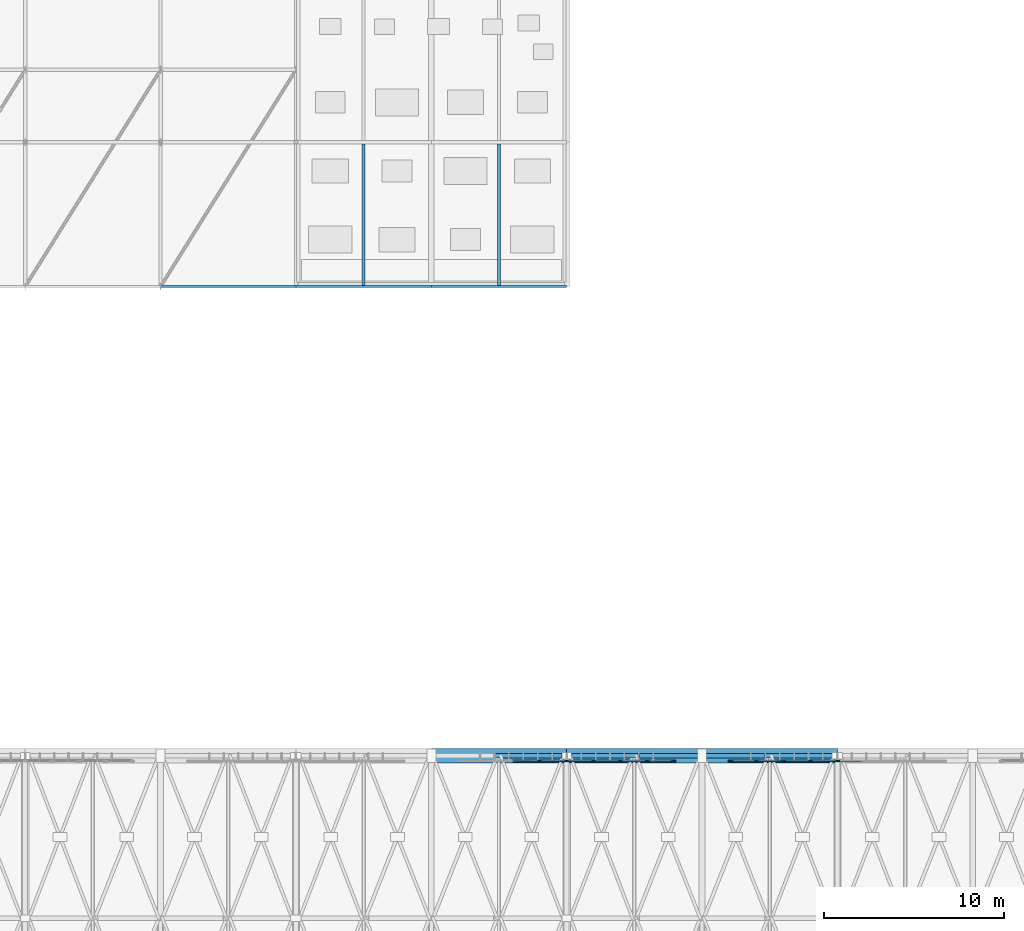
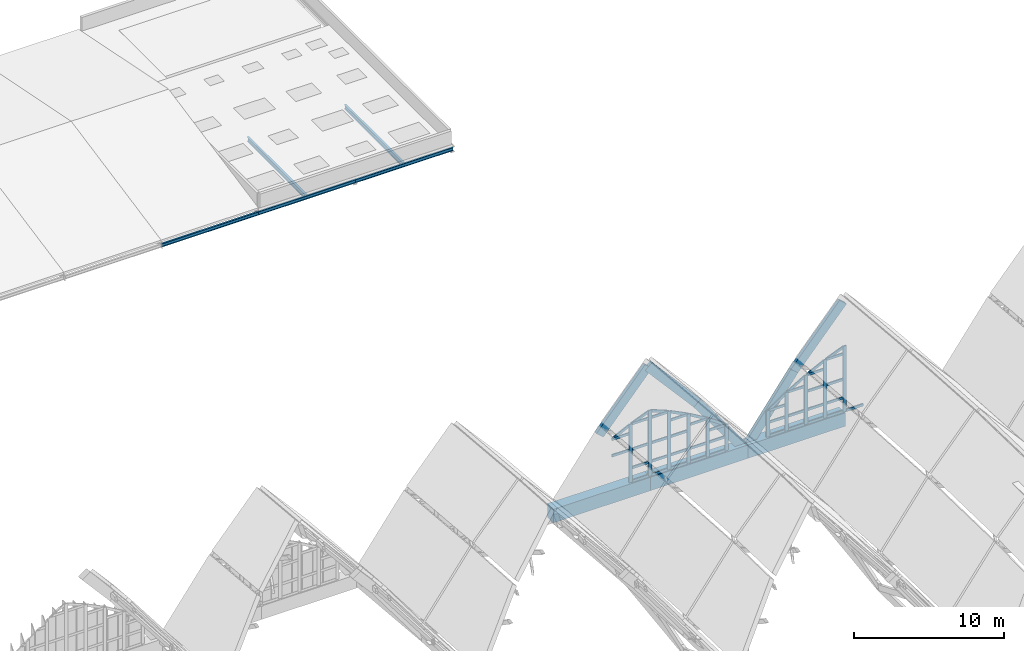
# One storey, part 46 of 93: 56 members, 13 beams, 2 elements without a shape of their own.
"""IFC4 building model written with IfcOpenShell, lengths in metres."""

from ifc_helpers import new_model, si_unit, direction, frame, origin, origin_2d, place, context, subcontext, project, spatial, rectangle, i_section, extrude, material, material_profile, profile_set, type_object, element, aggregate, save


model = new_model("IFC4")

# Units and contexts
model_context = context("Model", 3, precision=1e-05, world=origin(), true_north=direction((0.0, 1.0)))
body_context = subcontext(model_context, "Body", "Model", "MODEL_VIEW")
ifc_project = project(units=[si_unit("LENGTHUNIT", "METRE"), si_unit("AREAUNIT", "SQUARE_METRE"), si_unit("VOLUMEUNIT", "CUBIC_METRE"), si_unit("PLANEANGLEUNIT", "RADIAN"), si_unit("MASSUNIT", "GRAM", prefix="KILO")], contexts=[model_context])

# Site, building, storey
site_placement = place(None, origin())
site = spatial("IfcSite", under=ifc_project, at=site_placement, CompositionType="ELEMENT")
building_placement = place(site_placement, origin())
building = spatial("IfcBuilding", under=site, at=building_placement, Name="Vourika Railside Aquatics Centre", CompositionType="ELEMENT")
storey_placement = place(building_placement, frame((0.0, 0.0, 21.89990234375)))
storey = spatial("IfcBuildingStorey", under=building, at=storey_placement, Name="Roof", CompositionType="ELEMENT", Elevation=21.89990234375)

# Beams
ifc_material_1 = material(Name="Glulam GL32h", Category="wood")
ifc_material_profile_1 = material_profile(ifc_material_1, rectangle(XDim=0.239990234375, YDim=0.719970703125, at=origin_2d()), Name="GL32h 240x720")
ifc_profile_set_1 = profile_set([ifc_material_profile_1], Name="Glulam GL32h")
beam_type_1 = type_object("IfcBeamType", Name="BM-GL-ARCH-240x720", PredefinedType="BEAM", material=ifc_profile_set_1)
for number, where, z_axis, x_axis, name in (
    (1, (84.75, 66.0, -6.599853515625), (0.657258623263, 0.0, 0.75366511273), (0.0, 1.0, 0.0), "Pointed Glulam Vault Arch Rib GAR-0128"),
    (2, (88.5, 66.0, -2.2998046875), (0.657258623263, 0.0, -0.75366511273), (0.0, 1.0, 0.0), "Pointed Glulam Vault Arch Rib GAR-0129"),
):
    element("IfcBeam", number, at=place(storey_placement, frame(where, z_axis=z_axis, x_axis=x_axis)), inside=storey, type_object=beam_type_1, Name=name, PredefinedType="BEAM", context=body_context, shape_type="SweptSolid", body=[
        extrude(rectangle(XDim=0.239990234375, YDim=0.719970703125, at=origin_2d()), origin(), (0.0, 0.0, 1.0), 5.70556640625),
    ])
for number, where, z_axis, x_axis, name in (
    (3, (92.25, 66.0, -6.599853515625), (0.592383087934, 0.0, -0.805656426233), (0.0, 1.0, 0.0), "Pointed Glulam Vault Arch Rib GAR-0130"),
    (4, (96.0, 66.0, -11.699951171875), (0.592383087934, 0.0, 0.805656426233), (0.0, 1.0, 0.0), "Pointed Glulam Vault Arch Rib GAR-0161"),
):
    element("IfcBeam", number, at=place(storey_placement, frame(where, z_axis=z_axis, x_axis=x_axis)), inside=storey, type_object=beam_type_1, Name=name, PredefinedType="BEAM", context=body_context, shape_type="SweptSolid", body=[
        extrude(rectangle(XDim=0.239990234375, YDim=0.719970703125, at=origin_2d()), origin(), (0.0, 0.0, 1.0), 6.330322265625),
    ])
beam_placement = place(storey_placement, frame((99.75, 66.0, -6.599853515625), z_axis=(0.657258623263, 0.0, 0.75366511273), x_axis=(0.0, 1.0, 0.0)))
element("IfcBeam", 5, at=beam_placement, inside=storey, type_object=beam_type_1, Name="Pointed Glulam Vault Arch Rib GAR-0162", PredefinedType="BEAM", context=body_context, shape_type="SweptSolid", body=[
    extrude(rectangle(XDim=0.239990234375, YDim=0.719970703125, at=origin_2d()), origin(), (0.0, 0.0, 1.0), 5.70556640625),
])
ifc_material_2 = material(Name="Concrete C40/50", Category="concrete")
ifc_material_profile_2 = material_profile(ifc_material_2, rectangle(XDim=0.800048828125, YDim=1.10009765625, at=origin_2d()), Name="RC 800x1100")
ifc_profile_set_2 = profile_set([ifc_material_profile_2], Name="Concrete C40/50")
beam_type_2 = type_object("IfcBeamType", Name="BM-RING-800x1100", PredefinedType="BEAM", material=ifc_profile_set_2)
for number, where, z_axis, x_axis, name in (
    (6, (81.0, 66.0, -11.699951171875), (1.0, 0.0, 0.0), (0.0, 1.0, 0.0), "Vault Springing Ring Beam N (81.0-88.5)"),
    (7, (88.5, 66.0, -11.699951171875), (1.0, 0.0, 0.0), (0.0, 1.0, 0.0), "Vault Springing Ring Beam N (88.5-96.0)"),
    (8, (96.0, 66.0, -11.699951171875), (1.0, 0.0, 0.0), (0.0, 1.0, 0.0), "Vault Springing Ring Beam N (96.0-103.5)"),
):
    element("IfcBeam", number, at=place(storey_placement, frame(where, z_axis=z_axis, x_axis=x_axis)), inside=storey, type_object=beam_type_2, Name=name, PredefinedType="BEAM", context=body_context, shape_type="SweptSolid", body=[
        extrude(rectangle(XDim=0.800048828125, YDim=1.10009765625, at=origin_2d()), origin(), (0.0, 0.0, 1.0), 7.5),
    ])
ifc_material_3 = material(Name="Steel S355J2", Category="steel")
ifc_material_profile_3 = material_profile(ifc_material_3, i_section(OverallWidth=0.135009765625, OverallDepth=0.27001953125, WebThickness=0.006591796875, FlangeThickness=0.01025390625, at=origin_2d()), Name="IPE 270")
ifc_profile_set_3 = profile_set([ifc_material_profile_3], Name="Steel S355J2")
beam_type_3 = type_object("IfcBeamType", Name="BM-STL-IPE270", PredefinedType="SPANDREL", material=ifc_profile_set_3)
for number, where, z_axis, x_axis, name in (
    (9, (66.0, 92.0, -0.375), (1.0, 0.0, 0.0), (0.0, 1.0, 0.0), "Floor Beam GX-Roof-007"),
    (10, (73.5, 92.0, -0.375), (1.0, 0.0, 0.0), (0.0, 1.0, 0.0), "Floor Beam GX-Roof-008"),
    (11, (81.0, 92.0, -0.375), (1.0, 0.0, 0.0), (0.0, 1.0, 0.0), "Floor Beam GX-Roof-009"),
):
    element("IfcBeam", number, at=place(storey_placement, frame(where, z_axis=z_axis, x_axis=x_axis)), inside=storey, type_object=beam_type_3, Name=name, PredefinedType="SPANDREL", context=body_context, shape_type="SweptSolid", body=[
        extrude(i_section(OverallWidth=0.135009765625, OverallDepth=0.27001953125, WebThickness=0.006591796875, FlangeThickness=0.01025390625, at=origin_2d()), origin(), (0.0, 0.0, 1.0), 7.5),
    ])
ifc_material_profile_4 = material_profile(ifc_material_3, i_section(OverallWidth=0.169921875, OverallDepth=0.360107421875, WebThickness=0.008056640625, FlangeThickness=0.0126953125, at=origin_2d()), Name="IPE 360")
ifc_profile_set_4 = profile_set([ifc_material_profile_4], Name="Steel S355J2")
beam_type_4 = type_object("IfcBeamType", Name="BM-STL-IPE360", PredefinedType="JOIST", material=ifc_profile_set_4)
for number, where, z_axis, x_axis, name in (
    (12, (77.25, 92.0673828125, -0.419921875), (0.0, 1.0, 0.0), (-1.0, 0.0, 0.0), "Secondary Joist JY-Roof-043"),
    (13, (84.75, 92.0673828125, -0.419921875), (0.0, 1.0, 0.0), (-1.0, 0.0, 0.0), "Secondary Joist JY-Roof-044"),
):
    element("IfcBeam", number, at=place(storey_placement, frame(where, z_axis=z_axis, x_axis=x_axis)), inside=storey, type_object=beam_type_4, Name=name, PredefinedType="JOIST", context=body_context, shape_type="SweptSolid", body=[
        extrude(i_section(OverallWidth=0.169921875, OverallDepth=0.360107421875, WebThickness=0.008056640625, FlangeThickness=0.0126953125, at=origin_2d()), origin(), (0.0, 0.0, 1.0), 7.837646484375),
    ])

# Curtain wall, members
ifc_material_4 = material(Name="Anodized thermally broken aluminium", Category="aluminium")
curtain_wall_type = type_object("IfcCurtainWallType", Name="CW-VLTN2", PredefinedType="NOTDEFINED", material=ifc_material_4)
curtain_wall_1_placement = place(storey_placement, origin())
curtain_wall_1 = element("IfcCurtainWall", 14, at=curtain_wall_1_placement, inside=storey, type_object=curtain_wall_type, Name="North Courtyard Pointed-Arch Curtain Wall Bay 4", PredefinedType="NOTDEFINED")
ifc_material_5 = material(Name="Anodized aluminium mullion", Category="aluminium")
ifc_material_profile_5 = material_profile(ifc_material_5, rectangle(XDim=0.090087890625, YDim=0.264892578125, at=origin_2d()), Name="ALU-M 90x265")
ifc_profile_set_5 = profile_set([ifc_material_profile_5], Name="Anodized aluminium mullion")
member_type_1 = type_object("IfcMemberType", Name="CWM-VLTN2", PredefinedType="MULLION", material=ifc_profile_set_5)
member_1_placement = place(storey_placement, frame((94.405029296875, 65.719970703125, -11.099853515625), z_axis=(0.0, 0.0, 1.0), x_axis=(0.0, -1.0, 0.0)))
member_1 = element("IfcMember", 15, at=member_1_placement, type_object=member_type_1, Name="CW02 arch mullion 1", PredefinedType="MULLION", context=body_context, shape_type="SweptSolid", body=[
    extrude(rectangle(XDim=0.090087890625, YDim=0.264892578125, at=origin_2d()), origin(), (0.0, 0.0, 1.0), 2.133056640625),
])
member_2_placement = place(storey_placement, frame((92.96240234375, 65.719970703125, -11.099853515625), z_axis=(0.0, 0.0, 1.0), x_axis=(0.0, -1.0, 0.0)))
member_2 = element("IfcMember", 16, at=member_2_placement, type_object=member_type_1, Name="CW02 arch mullion 2", PredefinedType="MULLION", context=body_context, shape_type="SweptSolid", body=[
    extrude(rectangle(XDim=0.090087890625, YDim=0.264892578125, at=origin_2d()), origin(), (0.0, 0.0, 1.0), 3.1259765625),
])
member_3_placement = place(storey_placement, frame((91.47509765625, 65.719970703125, -11.099853515625), z_axis=(0.0, 0.0, 1.0), x_axis=(0.0, -1.0, 0.0)))
member_3 = element("IfcMember", 17, at=member_3_placement, type_object=member_type_1, Name="CW02 arch mullion 3", PredefinedType="MULLION", context=body_context, shape_type="SweptSolid", body=[
    extrude(rectangle(XDim=0.090087890625, YDim=0.264892578125, at=origin_2d()), origin(), (0.0, 0.0, 1.0), 4.009033203125),
])
member_4_placement = place(storey_placement, frame((89.987548828125, 65.719970703125, -11.099853515625), z_axis=(0.0, 0.0, 1.0), x_axis=(0.0, -1.0, 0.0)))
member_4 = element("IfcMember", 18, at=member_4_placement, type_object=member_type_1, Name="CW02 arch mullion 4", PredefinedType="MULLION", context=body_context, shape_type="SweptSolid", body=[
    extrude(rectangle(XDim=0.090087890625, YDim=0.264892578125, at=origin_2d()), origin(), (0.0, 0.0, 1.0), 4.7509765625),
])
member_5_placement = place(storey_placement, frame((88.5, 65.719970703125, -11.099853515625), z_axis=(0.0, 0.0, 1.0), x_axis=(0.0, -1.0, 0.0)))
member_5 = element("IfcMember", 19, at=member_5_placement, type_object=member_type_1, Name="CW02 arch mullion 5", PredefinedType="MULLION", context=body_context, shape_type="SweptSolid", body=[
    extrude(rectangle(XDim=0.090087890625, YDim=0.264892578125, at=origin_2d()), origin(), (0.0, 0.0, 1.0), 5.349853515625),
])
member_6_placement = place(storey_placement, frame((87.012451171875, 65.719970703125, -11.099853515625), z_axis=(0.0, 0.0, 1.0), x_axis=(0.0, -1.0, 0.0)))
member_6 = element("IfcMember", 20, at=member_6_placement, type_object=member_type_1, Name="CW02 arch mullion 6", PredefinedType="MULLION", context=body_context, shape_type="SweptSolid", body=[
    extrude(rectangle(XDim=0.090087890625, YDim=0.264892578125, at=origin_2d()), origin(), (0.0, 0.0, 1.0), 4.7509765625),
])

curtain_wall_2_placement = place(storey_placement, origin())
curtain_wall_2 = element("IfcCurtainWall", 21, at=curtain_wall_2_placement, inside=storey, type_object=curtain_wall_type, Name="North Courtyard Pointed-Arch Curtain Wall Bay 5", PredefinedType="NOTDEFINED")
member_7_placement = place(storey_placement, frame((103.5, 65.719970703125, -11.099853515625), z_axis=(0.0, 0.0, 1.0), x_axis=(0.0, -1.0, 0.0)))
member_7 = element("IfcMember", 22, at=member_7_placement, type_object=member_type_1, Name="CW02 arch mullion 5", PredefinedType="MULLION", context=body_context, shape_type="SweptSolid", body=[
    extrude(rectangle(XDim=0.090087890625, YDim=0.264892578125, at=origin_2d()), origin(), (0.0, 0.0, 1.0), 5.349853515625),
])
member_8_placement = place(storey_placement, frame((102.012451171875, 65.719970703125, -11.099853515625), z_axis=(0.0, 0.0, 1.0), x_axis=(0.0, -1.0, 0.0)))
member_8 = element("IfcMember", 23, at=member_8_placement, type_object=member_type_1, Name="CW02 arch mullion 6", PredefinedType="MULLION", context=body_context, shape_type="SweptSolid", body=[
    extrude(rectangle(XDim=0.090087890625, YDim=0.264892578125, at=origin_2d()), origin(), (0.0, 0.0, 1.0), 4.7509765625),
])
member_9_placement = place(storey_placement, frame((100.52490234375, 65.719970703125, -11.099853515625), z_axis=(0.0, 0.0, 1.0), x_axis=(0.0, -1.0, 0.0)))
member_9 = element("IfcMember", 24, at=member_9_placement, type_object=member_type_1, Name="CW02 arch mullion 7", PredefinedType="MULLION", context=body_context, shape_type="SweptSolid", body=[
    extrude(rectangle(XDim=0.090087890625, YDim=0.264892578125, at=origin_2d()), origin(), (0.0, 0.0, 1.0), 4.009033203125),
])
member_10_placement = place(storey_placement, frame((99.03759765625, 65.719970703125, -11.099853515625), z_axis=(0.0, 0.0, 1.0), x_axis=(0.0, -1.0, 0.0)))
member_10 = element("IfcMember", 25, at=member_10_placement, type_object=member_type_1, Name="CW02 arch mullion 8", PredefinedType="MULLION", context=body_context, shape_type="SweptSolid", body=[
    extrude(rectangle(XDim=0.090087890625, YDim=0.264892578125, at=origin_2d()), origin(), (0.0, 0.0, 1.0), 3.1259765625),
])
member_11_placement = place(storey_placement, frame((97.594970703125, 65.719970703125, -11.099853515625), z_axis=(0.0, 0.0, 1.0), x_axis=(0.0, -1.0, 0.0)))
member_11 = element("IfcMember", 26, at=member_11_placement, type_object=member_type_1, Name="CW02 arch mullion 9", PredefinedType="MULLION", context=body_context, shape_type="SweptSolid", body=[
    extrude(rectangle(XDim=0.090087890625, YDim=0.264892578125, at=origin_2d()), origin(), (0.0, 0.0, 1.0), 2.133056640625),
])

# Member
ifc_material_6 = material(Name="Anodized aluminium transom", Category="aluminium")
ifc_material_profile_6 = material_profile(ifc_material_6, rectangle(XDim=0.090087890625, YDim=0.205078125, at=origin_2d()), Name="ALU-T 90x205")
ifc_profile_set_6 = profile_set([ifc_material_profile_6], Name="Anodized aluminium transom")
member_type_2 = type_object("IfcMemberType", Name="CWT-VLTN2", PredefinedType="USERDEFINED", material=ifc_profile_set_6)
member_12_placement = place(storey_placement, frame((94.360107421875, 65.719970703125, -11.054931640625), z_axis=(-1.0, 0.0, 0.0), x_axis=(0.0, -1.0, 0.0)))
member_12 = element("IfcMember", 27, at=member_12_placement, type_object=member_type_2, Name="CW02 transom 1.1", ObjectType="TRANSOM", PredefinedType="USERDEFINED", context=body_context, shape_type="SweptSolid", body=[
    extrude(rectangle(XDim=0.090087890625, YDim=0.205078125, at=origin_2d()), origin(), (0.0, 0.0, 1.0), 1.3525390625),
])

member_13_placement = place(storey_placement, frame((94.360107421875, 65.719970703125, -9.949951171875), z_axis=(-1.0, 0.0, 0.0), x_axis=(0.0, -1.0, 0.0)))
member_13 = element("IfcMember", 28, at=member_13_placement, type_object=member_type_2, Name="CW02 transom 1.2", ObjectType="TRANSOM", PredefinedType="USERDEFINED", context=body_context, shape_type="SweptSolid", body=[
    extrude(rectangle(XDim=0.090087890625, YDim=0.205078125, at=origin_2d()), origin(), (0.0, 0.0, 1.0), 1.3525390625),
])

member_14_placement = place(storey_placement, frame((94.360107421875, 65.719970703125, -8.97900390625), z_axis=(-1.0, 0.0, 0.0), x_axis=(0.0, -1.0, 0.0)))
member_14 = element("IfcMember", 29, at=member_14_placement, type_object=member_type_2, Name="CW02 transom 1.3", ObjectType="TRANSOM", PredefinedType="USERDEFINED", context=body_context, shape_type="SweptSolid", body=[
    extrude(rectangle(XDim=0.090087890625, YDim=0.205078125, at=origin_2d()), origin(), (0.0, 0.0, 1.0), 1.3525390625),
])

member_15_placement = place(storey_placement, frame((94.360107421875, 65.719970703125, -8.97900390625), z_axis=(-0.82367735406, 0.0, 0.567058741586), x_axis=(0.0, -1.0, 0.0)))
member_15 = element("IfcMember", 30, at=member_15_placement, type_object=member_type_2, Name="CW02 arch chord transom 1", ObjectType="TRANSOM", PredefinedType="USERDEFINED", context=body_context, shape_type="SweptSolid", body=[
    extrude(rectangle(XDim=0.090087890625, YDim=0.205078125, at=origin_2d()), origin(), (0.0, 0.0, 1.0), 1.64208984375),
])

member_16_placement = place(storey_placement, frame((92.91748046875, 65.719970703125, -11.054931640625), z_axis=(-1.0, 0.0, 0.0), x_axis=(0.0, -1.0, 0.0)))
member_16 = element("IfcMember", 31, at=member_16_placement, type_object=member_type_2, Name="CW02 transom 2.1", ObjectType="TRANSOM", PredefinedType="USERDEFINED", context=body_context, shape_type="SweptSolid", body=[
    extrude(rectangle(XDim=0.090087890625, YDim=0.205078125, at=origin_2d()), origin(), (0.0, 0.0, 1.0), 1.3974609375),
])

member_17_placement = place(storey_placement, frame((92.91748046875, 65.719970703125, -9.949951171875), z_axis=(-1.0, 0.0, 0.0), x_axis=(0.0, -1.0, 0.0)))
member_17 = element("IfcMember", 32, at=member_17_placement, type_object=member_type_2, Name="CW02 transom 2.2", ObjectType="TRANSOM", PredefinedType="USERDEFINED", context=body_context, shape_type="SweptSolid", body=[
    extrude(rectangle(XDim=0.090087890625, YDim=0.205078125, at=origin_2d()), origin(), (0.0, 0.0, 1.0), 1.3974609375),
])

member_18_placement = place(storey_placement, frame((92.91748046875, 65.719970703125, -7.989990234375), z_axis=(-1.0, 0.0, 0.0), x_axis=(0.0, -1.0, 0.0)))
member_18 = element("IfcMember", 33, at=member_18_placement, type_object=member_type_2, Name="CW02 transom 2.3", ObjectType="TRANSOM", PredefinedType="USERDEFINED", context=body_context, shape_type="SweptSolid", body=[
    extrude(rectangle(XDim=0.090087890625, YDim=0.205078125, at=origin_2d()), origin(), (0.0, 0.0, 1.0), 1.3974609375),
])

member_19_placement = place(storey_placement, frame((92.91748046875, 65.719970703125, -7.989990234375), z_axis=(-0.859764066012, 0.0, 0.510691443823), x_axis=(0.0, -1.0, 0.0)))
member_19 = element("IfcMember", 34, at=member_19_placement, type_object=member_type_2, Name="CW02 arch chord transom 2", ObjectType="TRANSOM", PredefinedType="USERDEFINED", context=body_context, shape_type="SweptSolid", body=[
    extrude(rectangle(XDim=0.090087890625, YDim=0.205078125, at=origin_2d()), origin(), (0.0, 0.0, 1.0), 1.62548828125),
])

member_20_placement = place(storey_placement, frame((91.429931640625, 65.719970703125, -11.054931640625), z_axis=(-1.0, 0.0, 0.0), x_axis=(0.0, -1.0, 0.0)))
member_20 = element("IfcMember", 35, at=member_20_placement, type_object=member_type_2, Name="CW02 transom 3.1", ObjectType="TRANSOM", PredefinedType="USERDEFINED", context=body_context, shape_type="SweptSolid", body=[
    extrude(rectangle(XDim=0.090087890625, YDim=0.205078125, at=origin_2d()), origin(), (0.0, 0.0, 1.0), 1.3974609375),
])

member_21_placement = place(storey_placement, frame((91.429931640625, 65.719970703125, -9.949951171875), z_axis=(-1.0, 0.0, 0.0), x_axis=(0.0, -1.0, 0.0)))
member_21 = element("IfcMember", 36, at=member_21_placement, type_object=member_type_2, Name="CW02 transom 3.2", ObjectType="TRANSOM", PredefinedType="USERDEFINED", context=body_context, shape_type="SweptSolid", body=[
    extrude(rectangle(XDim=0.090087890625, YDim=0.205078125, at=origin_2d()), origin(), (0.0, 0.0, 1.0), 1.3974609375),
])

member_22_placement = place(storey_placement, frame((91.429931640625, 65.719970703125, -8.449951171875), z_axis=(-1.0, 0.0, 0.0), x_axis=(0.0, -1.0, 0.0)))
member_22 = element("IfcMember", 37, at=member_22_placement, type_object=member_type_2, Name="CW02 transom 3.3", ObjectType="TRANSOM", PredefinedType="USERDEFINED", context=body_context, shape_type="SweptSolid", body=[
    extrude(rectangle(XDim=0.090087890625, YDim=0.205078125, at=origin_2d()), origin(), (0.0, 0.0, 1.0), 1.3974609375),
])

member_23_placement = place(storey_placement, frame((91.429931640625, 65.719970703125, -7.11083984375), z_axis=(-1.0, 0.0, 0.0), x_axis=(0.0, -1.0, 0.0)))
member_23 = element("IfcMember", 38, at=member_23_placement, type_object=member_type_2, Name="CW02 transom 3.4", ObjectType="TRANSOM", PredefinedType="USERDEFINED", context=body_context, shape_type="SweptSolid", body=[
    extrude(rectangle(XDim=0.090087890625, YDim=0.205078125, at=origin_2d()), origin(), (0.0, 0.0, 1.0), 1.3974609375),
])

member_24_placement = place(storey_placement, frame((91.429931640625, 65.719970703125, -7.11083984375), z_axis=(-0.895114200578, 0.0, 0.445836929743), x_axis=(0.0, -1.0, 0.0)))
member_24 = element("IfcMember", 39, at=member_24_placement, type_object=member_type_2, Name="CW02 arch chord transom 3", ObjectType="TRANSOM", PredefinedType="USERDEFINED", context=body_context, shape_type="SweptSolid", body=[
    extrude(rectangle(XDim=0.090087890625, YDim=0.205078125, at=origin_2d()), origin(), (0.0, 0.0, 1.0), 1.561279296875),
])

member_25_placement = place(storey_placement, frame((89.9423828125, 65.719970703125, -11.054931640625), z_axis=(-1.0, 0.0, 0.0), x_axis=(0.0, -1.0, 0.0)))
member_25 = element("IfcMember", 40, at=member_25_placement, type_object=member_type_2, Name="CW02 transom 4.1", ObjectType="TRANSOM", PredefinedType="USERDEFINED", context=body_context, shape_type="SweptSolid", body=[
    extrude(rectangle(XDim=0.090087890625, YDim=0.205078125, at=origin_2d()), origin(), (0.0, 0.0, 1.0), 1.3974609375),
])

member_26_placement = place(storey_placement, frame((89.9423828125, 65.719970703125, -9.949951171875), z_axis=(-1.0, 0.0, 0.0), x_axis=(0.0, -1.0, 0.0)))
member_26 = element("IfcMember", 41, at=member_26_placement, type_object=member_type_2, Name="CW02 transom 4.2", ObjectType="TRANSOM", PredefinedType="USERDEFINED", context=body_context, shape_type="SweptSolid", body=[
    extrude(rectangle(XDim=0.090087890625, YDim=0.205078125, at=origin_2d()), origin(), (0.0, 0.0, 1.0), 1.3974609375),
])

member_27_placement = place(storey_placement, frame((89.9423828125, 65.719970703125, -8.449951171875), z_axis=(-1.0, 0.0, 0.0), x_axis=(0.0, -1.0, 0.0)))
member_27 = element("IfcMember", 42, at=member_27_placement, type_object=member_type_2, Name="CW02 transom 4.3", ObjectType="TRANSOM", PredefinedType="USERDEFINED", context=body_context, shape_type="SweptSolid", body=[
    extrude(rectangle(XDim=0.090087890625, YDim=0.205078125, at=origin_2d()), origin(), (0.0, 0.0, 1.0), 1.3974609375),
])

member_28_placement = place(storey_placement, frame((89.9423828125, 65.719970703125, -6.3740234375), z_axis=(-1.0, 0.0, 0.0), x_axis=(0.0, -1.0, 0.0)))
member_28 = element("IfcMember", 43, at=member_28_placement, type_object=member_type_2, Name="CW02 transom 4.4", ObjectType="TRANSOM", PredefinedType="USERDEFINED", context=body_context, shape_type="SweptSolid", body=[
    extrude(rectangle(XDim=0.090087890625, YDim=0.205078125, at=origin_2d()), origin(), (0.0, 0.0, 1.0), 1.3974609375),
])

member_29_placement = place(storey_placement, frame((89.9423828125, 65.719970703125, -6.3740234375), z_axis=(-0.927501285961, 0.0, 0.373819962738), x_axis=(0.0, -1.0, 0.0)))
member_29 = element("IfcMember", 44, at=member_29_placement, type_object=member_type_2, Name="CW02 arch chord transom 4", ObjectType="TRANSOM", PredefinedType="USERDEFINED", context=body_context, shape_type="SweptSolid", body=[
    extrude(rectangle(XDim=0.090087890625, YDim=0.205078125, at=origin_2d()), origin(), (0.0, 0.0, 1.0), 1.506591796875),
])

member_30_placement = place(storey_placement, frame((88.455078125, 65.719970703125, -11.054931640625), z_axis=(-1.0, 0.0, 0.0), x_axis=(0.0, -1.0, 0.0)))
member_30 = element("IfcMember", 45, at=member_30_placement, type_object=member_type_2, Name="CW02 transom 5.1", ObjectType="TRANSOM", PredefinedType="USERDEFINED", context=body_context, shape_type="SweptSolid", body=[
    extrude(rectangle(XDim=0.090087890625, YDim=0.205078125, at=origin_2d()), origin(), (0.0, 0.0, 1.0), 1.3974609375),
])

member_31_placement = place(storey_placement, frame((88.455078125, 65.719970703125, -9.949951171875), z_axis=(-1.0, 0.0, 0.0), x_axis=(0.0, -1.0, 0.0)))
member_31 = element("IfcMember", 46, at=member_31_placement, type_object=member_type_2, Name="CW02 transom 5.2", ObjectType="TRANSOM", PredefinedType="USERDEFINED", context=body_context, shape_type="SweptSolid", body=[
    extrude(rectangle(XDim=0.090087890625, YDim=0.205078125, at=origin_2d()), origin(), (0.0, 0.0, 1.0), 1.3974609375),
])

member_32_placement = place(storey_placement, frame((88.455078125, 65.719970703125, -8.449951171875), z_axis=(-1.0, 0.0, 0.0), x_axis=(0.0, -1.0, 0.0)))
member_32 = element("IfcMember", 47, at=member_32_placement, type_object=member_type_2, Name="CW02 transom 5.3", ObjectType="TRANSOM", PredefinedType="USERDEFINED", context=body_context, shape_type="SweptSolid", body=[
    extrude(rectangle(XDim=0.090087890625, YDim=0.205078125, at=origin_2d()), origin(), (0.0, 0.0, 1.0), 1.3974609375),
])

member_33_placement = place(storey_placement, frame((88.455078125, 65.719970703125, -6.3740234375), z_axis=(-1.0, 0.0, 0.0), x_axis=(0.0, -1.0, 0.0)))
member_33 = element("IfcMember", 48, at=member_33_placement, type_object=member_type_2, Name="CW02 transom 5.4", ObjectType="TRANSOM", PredefinedType="USERDEFINED", context=body_context, shape_type="SweptSolid", body=[
    extrude(rectangle(XDim=0.090087890625, YDim=0.205078125, at=origin_2d()), origin(), (0.0, 0.0, 1.0), 1.3974609375),
])

member_34_placement = place(storey_placement, frame((88.455078125, 65.719970703125, -5.810791015625), z_axis=(-0.927501285961, 0.0, -0.373819962738), x_axis=(0.0, -1.0, 0.0)))
member_34 = element("IfcMember", 49, at=member_34_placement, type_object=member_type_2, Name="CW02 arch chord transom 5", ObjectType="TRANSOM", PredefinedType="USERDEFINED", context=body_context, shape_type="SweptSolid", body=[
    extrude(rectangle(XDim=0.090087890625, YDim=0.205078125, at=origin_2d()), origin(), (0.0, 0.0, 1.0), 1.506591796875),
])

member_35_placement = place(storey_placement, frame((86.967529296875, 65.719970703125, -8.449951171875), z_axis=(-1.0, 0.0, 0.0), x_axis=(0.0, -1.0, 0.0)))
member_35 = element("IfcMember", 50, at=member_35_placement, type_object=member_type_2, Name="CW02 transom 6.3", ObjectType="TRANSOM", PredefinedType="USERDEFINED", context=body_context, shape_type="SweptSolid", body=[
    extrude(rectangle(XDim=0.090087890625, YDim=0.205078125, at=origin_2d()), origin(), (0.0, 0.0, 1.0), 1.3974609375),
])

member_36_placement = place(storey_placement, frame((86.967529296875, 65.719970703125, -7.11083984375), z_axis=(-1.0, 0.0, 0.0), x_axis=(0.0, -1.0, 0.0)))
member_36 = element("IfcMember", 51, at=member_36_placement, type_object=member_type_2, Name="CW02 transom 6.4", ObjectType="TRANSOM", PredefinedType="USERDEFINED", context=body_context, shape_type="SweptSolid", body=[
    extrude(rectangle(XDim=0.090087890625, YDim=0.205078125, at=origin_2d()), origin(), (0.0, 0.0, 1.0), 1.3974609375),
])

member_37_placement = place(storey_placement, frame((86.967529296875, 65.719970703125, -6.414794921875), z_axis=(-0.895114200578, 0.0, -0.445836929743), x_axis=(0.0, -1.0, 0.0)))
member_37 = element("IfcMember", 52, at=member_37_placement, type_object=member_type_2, Name="CW02 arch chord transom 6", ObjectType="TRANSOM", PredefinedType="USERDEFINED", context=body_context, shape_type="SweptSolid", body=[
    extrude(rectangle(XDim=0.090087890625, YDim=0.205078125, at=origin_2d()), origin(), (0.0, 0.0, 1.0), 1.561279296875),
])

aggregate(curtain_wall_1, [member_1, member_2, member_3, member_4, member_5, member_6, member_12, member_13, member_14, member_15, member_16, member_17, member_18, member_19, member_20, member_21, member_22, member_23, member_24, member_25, member_26, member_27, member_28, member_29, member_30, member_31, member_32, member_33, member_34, member_35, member_36, member_37])

member_38_placement = place(storey_placement, frame((104.9423828125, 65.719970703125, -11.054931640625), z_axis=(-1.0, 0.0, 0.0), x_axis=(0.0, -1.0, 0.0)))
member_38 = element("IfcMember", 53, at=member_38_placement, type_object=member_type_2, Name="CW02 transom 4.1", ObjectType="TRANSOM", PredefinedType="USERDEFINED", context=body_context, shape_type="SweptSolid", body=[
    extrude(rectangle(XDim=0.090087890625, YDim=0.205078125, at=origin_2d()), origin(), (0.0, 0.0, 1.0), 1.3974609375),
])

member_39_placement = place(storey_placement, frame((103.455078125, 65.719970703125, -11.054931640625), z_axis=(-1.0, 0.0, 0.0), x_axis=(0.0, -1.0, 0.0)))
member_39 = element("IfcMember", 54, at=member_39_placement, type_object=member_type_2, Name="CW02 transom 5.1", ObjectType="TRANSOM", PredefinedType="USERDEFINED", context=body_context, shape_type="SweptSolid", body=[
    extrude(rectangle(XDim=0.090087890625, YDim=0.205078125, at=origin_2d()), origin(), (0.0, 0.0, 1.0), 1.3974609375),
])

member_40_placement = place(storey_placement, frame((103.455078125, 65.719970703125, -9.949951171875), z_axis=(-1.0, 0.0, 0.0), x_axis=(0.0, -1.0, 0.0)))
member_40 = element("IfcMember", 55, at=member_40_placement, type_object=member_type_2, Name="CW02 transom 5.2", ObjectType="TRANSOM", PredefinedType="USERDEFINED", context=body_context, shape_type="SweptSolid", body=[
    extrude(rectangle(XDim=0.090087890625, YDim=0.205078125, at=origin_2d()), origin(), (0.0, 0.0, 1.0), 1.3974609375),
])

member_41_placement = place(storey_placement, frame((103.455078125, 65.719970703125, -8.449951171875), z_axis=(-1.0, 0.0, 0.0), x_axis=(0.0, -1.0, 0.0)))
member_41 = element("IfcMember", 56, at=member_41_placement, type_object=member_type_2, Name="CW02 transom 5.3", ObjectType="TRANSOM", PredefinedType="USERDEFINED", context=body_context, shape_type="SweptSolid", body=[
    extrude(rectangle(XDim=0.090087890625, YDim=0.205078125, at=origin_2d()), origin(), (0.0, 0.0, 1.0), 1.3974609375),
])

member_42_placement = place(storey_placement, frame((103.455078125, 65.719970703125, -6.3740234375), z_axis=(-1.0, 0.0, 0.0), x_axis=(0.0, -1.0, 0.0)))
member_42 = element("IfcMember", 57, at=member_42_placement, type_object=member_type_2, Name="CW02 transom 5.4", ObjectType="TRANSOM", PredefinedType="USERDEFINED", context=body_context, shape_type="SweptSolid", body=[
    extrude(rectangle(XDim=0.090087890625, YDim=0.205078125, at=origin_2d()), origin(), (0.0, 0.0, 1.0), 1.3974609375),
])

member_43_placement = place(storey_placement, frame((103.455078125, 65.719970703125, -5.810791015625), z_axis=(-0.927501285961, 0.0, -0.373819962738), x_axis=(0.0, -1.0, 0.0)))
member_43 = element("IfcMember", 58, at=member_43_placement, type_object=member_type_2, Name="CW02 arch chord transom 5", ObjectType="TRANSOM", PredefinedType="USERDEFINED", context=body_context, shape_type="SweptSolid", body=[
    extrude(rectangle(XDim=0.090087890625, YDim=0.205078125, at=origin_2d()), origin(), (0.0, 0.0, 1.0), 1.506591796875),
])

member_44_placement = place(storey_placement, frame((101.967529296875, 65.719970703125, -11.054931640625), z_axis=(-1.0, 0.0, 0.0), x_axis=(0.0, -1.0, 0.0)))
member_44 = element("IfcMember", 59, at=member_44_placement, type_object=member_type_2, Name="CW02 transom 6.1", ObjectType="TRANSOM", PredefinedType="USERDEFINED", context=body_context, shape_type="SweptSolid", body=[
    extrude(rectangle(XDim=0.090087890625, YDim=0.205078125, at=origin_2d()), origin(), (0.0, 0.0, 1.0), 1.3974609375),
])

member_45_placement = place(storey_placement, frame((101.967529296875, 65.719970703125, -9.949951171875), z_axis=(-1.0, 0.0, 0.0), x_axis=(0.0, -1.0, 0.0)))
member_45 = element("IfcMember", 60, at=member_45_placement, type_object=member_type_2, Name="CW02 transom 6.2", ObjectType="TRANSOM", PredefinedType="USERDEFINED", context=body_context, shape_type="SweptSolid", body=[
    extrude(rectangle(XDim=0.090087890625, YDim=0.205078125, at=origin_2d()), origin(), (0.0, 0.0, 1.0), 1.3974609375),
])

member_46_placement = place(storey_placement, frame((101.967529296875, 65.719970703125, -8.449951171875), z_axis=(-1.0, 0.0, 0.0), x_axis=(0.0, -1.0, 0.0)))
member_46 = element("IfcMember", 61, at=member_46_placement, type_object=member_type_2, Name="CW02 transom 6.3", ObjectType="TRANSOM", PredefinedType="USERDEFINED", context=body_context, shape_type="SweptSolid", body=[
    extrude(rectangle(XDim=0.090087890625, YDim=0.205078125, at=origin_2d()), origin(), (0.0, 0.0, 1.0), 1.3974609375),
])

member_47_placement = place(storey_placement, frame((101.967529296875, 65.719970703125, -7.11083984375), z_axis=(-1.0, 0.0, 0.0), x_axis=(0.0, -1.0, 0.0)))
member_47 = element("IfcMember", 62, at=member_47_placement, type_object=member_type_2, Name="CW02 transom 6.4", ObjectType="TRANSOM", PredefinedType="USERDEFINED", context=body_context, shape_type="SweptSolid", body=[
    extrude(rectangle(XDim=0.090087890625, YDim=0.205078125, at=origin_2d()), origin(), (0.0, 0.0, 1.0), 1.3974609375),
])

member_48_placement = place(storey_placement, frame((101.967529296875, 65.719970703125, -6.414794921875), z_axis=(-0.895114200578, 0.0, -0.445836929743), x_axis=(0.0, -1.0, 0.0)))
member_48 = element("IfcMember", 63, at=member_48_placement, type_object=member_type_2, Name="CW02 arch chord transom 6", ObjectType="TRANSOM", PredefinedType="USERDEFINED", context=body_context, shape_type="SweptSolid", body=[
    extrude(rectangle(XDim=0.090087890625, YDim=0.205078125, at=origin_2d()), origin(), (0.0, 0.0, 1.0), 1.561279296875),
])

member_49_placement = place(storey_placement, frame((100.47998046875, 65.719970703125, -11.054931640625), z_axis=(-1.0, 0.0, 0.0), x_axis=(0.0, -1.0, 0.0)))
member_49 = element("IfcMember", 64, at=member_49_placement, type_object=member_type_2, Name="CW02 transom 7.1", ObjectType="TRANSOM", PredefinedType="USERDEFINED", context=body_context, shape_type="SweptSolid", body=[
    extrude(rectangle(XDim=0.090087890625, YDim=0.205078125, at=origin_2d()), origin(), (0.0, 0.0, 1.0), 1.3974609375),
])

member_50_placement = place(storey_placement, frame((100.47998046875, 65.719970703125, -9.949951171875), z_axis=(-1.0, 0.0, 0.0), x_axis=(0.0, -1.0, 0.0)))
member_50 = element("IfcMember", 65, at=member_50_placement, type_object=member_type_2, Name="CW02 transom 7.2", ObjectType="TRANSOM", PredefinedType="USERDEFINED", context=body_context, shape_type="SweptSolid", body=[
    extrude(rectangle(XDim=0.090087890625, YDim=0.205078125, at=origin_2d()), origin(), (0.0, 0.0, 1.0), 1.3974609375),
])

member_51_placement = place(storey_placement, frame((100.47998046875, 65.719970703125, -7.989990234375), z_axis=(-1.0, 0.0, 0.0), x_axis=(0.0, -1.0, 0.0)))
member_51 = element("IfcMember", 66, at=member_51_placement, type_object=member_type_2, Name="CW02 transom 7.3", ObjectType="TRANSOM", PredefinedType="USERDEFINED", context=body_context, shape_type="SweptSolid", body=[
    extrude(rectangle(XDim=0.090087890625, YDim=0.205078125, at=origin_2d()), origin(), (0.0, 0.0, 1.0), 1.3974609375),
])

member_52_placement = place(storey_placement, frame((100.47998046875, 65.719970703125, -7.159912109375), z_axis=(-0.859764066012, 0.0, -0.510691443823), x_axis=(0.0, -1.0, 0.0)))
member_52 = element("IfcMember", 67, at=member_52_placement, type_object=member_type_2, Name="CW02 arch chord transom 7", ObjectType="TRANSOM", PredefinedType="USERDEFINED", context=body_context, shape_type="SweptSolid", body=[
    extrude(rectangle(XDim=0.090087890625, YDim=0.205078125, at=origin_2d()), origin(), (0.0, 0.0, 1.0), 1.62548828125),
])

member_53_placement = place(storey_placement, frame((98.992431640625, 65.719970703125, -11.054931640625), z_axis=(-1.0, 0.0, 0.0), x_axis=(0.0, -1.0, 0.0)))
member_53 = element("IfcMember", 68, at=member_53_placement, type_object=member_type_2, Name="CW02 transom 8.1", ObjectType="TRANSOM", PredefinedType="USERDEFINED", context=body_context, shape_type="SweptSolid", body=[
    extrude(rectangle(XDim=0.090087890625, YDim=0.205078125, at=origin_2d()), origin(), (0.0, 0.0, 1.0), 1.3525390625),
])

member_54_placement = place(storey_placement, frame((98.992431640625, 65.719970703125, -9.949951171875), z_axis=(-1.0, 0.0, 0.0), x_axis=(0.0, -1.0, 0.0)))
member_54 = element("IfcMember", 69, at=member_54_placement, type_object=member_type_2, Name="CW02 transom 8.2", ObjectType="TRANSOM", PredefinedType="USERDEFINED", context=body_context, shape_type="SweptSolid", body=[
    extrude(rectangle(XDim=0.090087890625, YDim=0.205078125, at=origin_2d()), origin(), (0.0, 0.0, 1.0), 1.3525390625),
])

member_55_placement = place(storey_placement, frame((98.992431640625, 65.719970703125, -8.97900390625), z_axis=(-1.0, 0.0, 0.0), x_axis=(0.0, -1.0, 0.0)))
member_55 = element("IfcMember", 70, at=member_55_placement, type_object=member_type_2, Name="CW02 transom 8.3", ObjectType="TRANSOM", PredefinedType="USERDEFINED", context=body_context, shape_type="SweptSolid", body=[
    extrude(rectangle(XDim=0.090087890625, YDim=0.205078125, at=origin_2d()), origin(), (0.0, 0.0, 1.0), 1.3525390625),
])

member_56_placement = place(storey_placement, frame((98.992431640625, 65.719970703125, -8.0478515625), z_axis=(-0.82367735406, 0.0, -0.567058741586), x_axis=(0.0, -1.0, 0.0)))
member_56 = element("IfcMember", 71, at=member_56_placement, type_object=member_type_2, Name="CW02 arch chord transom 8", ObjectType="TRANSOM", PredefinedType="USERDEFINED", context=body_context, shape_type="SweptSolid", body=[
    extrude(rectangle(XDim=0.090087890625, YDim=0.205078125, at=origin_2d()), origin(), (0.0, 0.0, 1.0), 1.64208984375),
])

aggregate(curtain_wall_2, [member_7, member_8, member_9, member_10, member_11, member_38, member_39, member_40, member_41, member_42, member_43, member_44, member_45, member_46, member_47, member_48, member_49, member_50, member_51, member_52, member_53, member_54, member_55, member_56])

save(model, "model.ifc")
